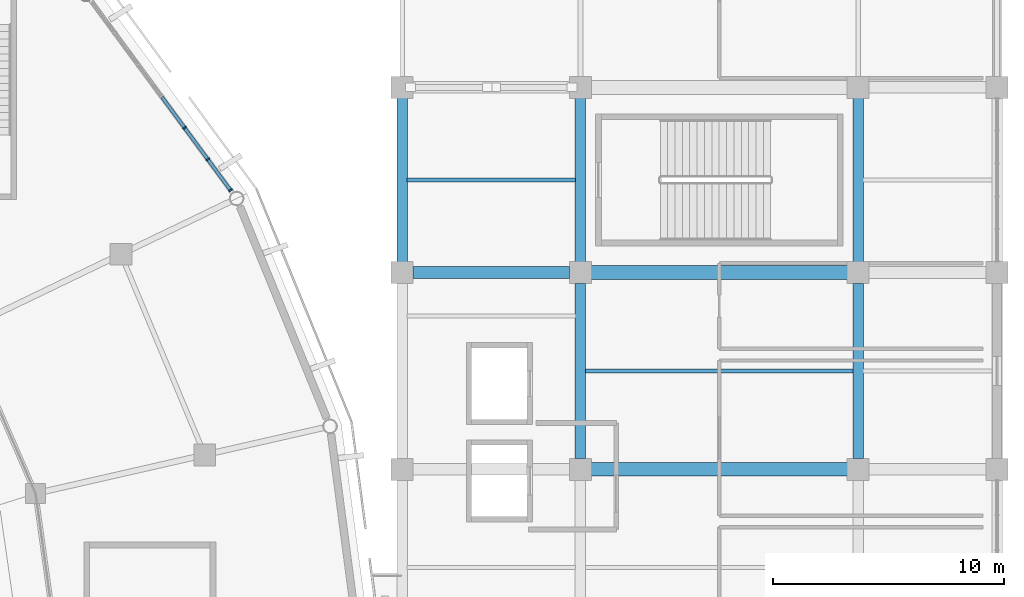
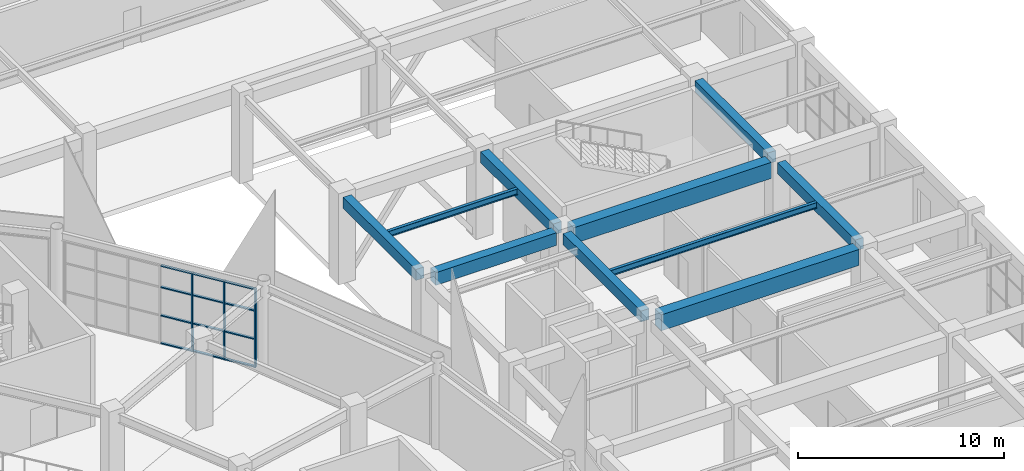
# One storey, part 52 of 120: 15 members, 10 beams, 1 element without a shape of its own.
"""IFC4 building model written with IfcOpenShell, lengths in metres."""

from ifc_helpers import new_model, si_unit, direction, frame, origin, origin_2d, place, context, subcontext, project, spatial, rectangle, i_section, extrude, material, material_profile, profile_set, type_object, element, aggregate, save


model = new_model("IFC4")

# Units and contexts
model_context = context("Model", 3, precision=1e-05, world=origin(), true_north=direction((0.0, 1.0)))
body_context = subcontext(model_context, "Body", "Model", "MODEL_VIEW")
ifc_project = project(units=[si_unit("LENGTHUNIT", "METRE"), si_unit("AREAUNIT", "SQUARE_METRE"), si_unit("VOLUMEUNIT", "CUBIC_METRE"), si_unit("PLANEANGLEUNIT", "RADIAN"), si_unit("MASSUNIT", "GRAM", prefix="KILO")], contexts=[model_context])

# Site, building, storey
site_placement = place(None, origin())
site = spatial("IfcSite", under=ifc_project, at=site_placement, CompositionType="ELEMENT")
building_placement = place(site_placement, origin())
building = spatial("IfcBuilding", under=site, at=building_placement, Name="Cuetzalor Civic Arena", CompositionType="ELEMENT")
storey_placement = place(building_placement, frame((0.0, 0.0, 6.0)))
storey = spatial("IfcBuildingStorey", under=building, at=storey_placement, Name="L01", CompositionType="ELEMENT", Elevation=6.0)

# Beams
ifc_material_1 = material(Name="Concrete C40/50", Category="concrete")
ifc_material_profile_1 = material_profile(ifc_material_1, rectangle(XDim=0.5, YDim=0.75, at=origin_2d()), Name="RC 500x750")
ifc_profile_set_1 = profile_set([ifc_material_profile_1], Name="Concrete C40/50")
beam_type_1 = type_object("IfcBeamType", Name="ConcreteFrameBeam_500x750", PredefinedType="BEAM", material=ifc_profile_set_1)
beam_1_placement = place(storey_placement, frame((56.764892578125, 17.0, 4.7451171875), z_axis=(1.0, 0.0, 0.0), x_axis=(0.0, 1.0, 0.0)))
element("IfcBeam", 1, at=beam_1_placement, inside=storey, type_object=beam_type_1, Name="Frame Girder V4E-L01-X0450", PredefinedType="BEAM", context=body_context, shape_type="SweptSolid", body=[
    extrude(rectangle(XDim=0.5, YDim=0.75, at=origin_2d()), origin(), (0.0, 0.0, 1.0), 6.77001953125),
])
ifc_material_2 = material(Name="Concrete C40/50", Category="concrete")
ifc_material_profile_2 = material_profile(ifc_material_2, rectangle(XDim=0.60009765625, YDim=0.949951171875, at=origin_2d()), Name="RC 600x950")
ifc_profile_set_2 = profile_set([ifc_material_profile_2], Name="Concrete C40/50")
beam_type_2 = type_object("IfcBeamType", Name="ConcreteFrameBeam_600x950", PredefinedType="BEAM", material=ifc_profile_set_2)
for number, where, z_axis, x_axis, name in (
    (2, (64.465087890625, 8.5, 4.64501953125), (1.0, 0.0, 0.0), (0.0, 1.0, 0.0), "Frame Girder V4E-L01-X0448"),
    (3, (64.465087890625, 17.0, 4.64501953125), (1.0, 0.0, 0.0), (0.0, 1.0, 0.0), "Frame Girder V4E-L01-X0451"),
):
    element("IfcBeam", number, at=place(storey_placement, frame(where, z_axis=z_axis, x_axis=x_axis)), inside=storey, type_object=beam_type_2, Name=name, PredefinedType="BEAM", context=body_context, shape_type="SweptSolid", body=[
        extrude(rectangle(XDim=0.60009765625, YDim=0.949951171875, at=origin_2d()), origin(), (0.0, 0.0, 1.0), 11.06982421875),
    ])
ifc_material_3 = material(Name="Concrete C40/50", Category="concrete")
ifc_material_profile_3 = material_profile(ifc_material_3, rectangle(XDim=0.449951171875, YDim=0.64990234375, at=origin_2d()), Name="RC 450x650")
ifc_profile_set_3 = profile_set([ifc_material_profile_3], Name="Concrete C40/50")
beam_type_3 = type_object("IfcBeamType", Name="ConcreteTieBeam_450x650", PredefinedType="BEAM", material=ifc_profile_set_3)
beam_2_placement = place(storey_placement, frame((56.300048828125, 17.465087890625, 4.794921875), z_axis=(0.0, 1.0, 0.0), x_axis=(-1.0, 0.0, 0.0)))
element("IfcBeam", 4, at=beam_2_placement, inside=storey, type_object=beam_type_3, Name="Frame Girder V4E-L01-Y0469", PredefinedType="BEAM", context=body_context, shape_type="SweptSolid", body=[
    extrude(rectangle(XDim=0.449951171875, YDim=0.64990234375, at=origin_2d()), origin(), (0.0, 0.0, 1.0), 7.06982421875),
])
beam_3_placement = place(storey_placement, frame((64.0, 8.965087890625, 4.794921875), z_axis=(0.0, 1.0, 0.0), x_axis=(-1.0, 0.0, 0.0)))
element("IfcBeam", 5, at=beam_3_placement, inside=storey, type_object=beam_type_3, Name="Frame Girder V4E-L01-Y0478", PredefinedType="BEAM", context=body_context, shape_type="SweptSolid", body=[
    extrude(rectangle(XDim=0.449951171875, YDim=0.64990234375, at=origin_2d()), origin(), (0.0, 0.0, 1.0), 7.56982421875),
])
beam_4_placement = place(storey_placement, frame((64.0, 17.465087890625, 4.794921875), z_axis=(0.0, 1.0, 0.0), x_axis=(-1.0, 0.0, 0.0)))
element("IfcBeam", 6, at=beam_4_placement, inside=storey, type_object=beam_type_3, Name="Frame Girder V4E-L01-Y0479", PredefinedType="BEAM", context=body_context, shape_type="SweptSolid", body=[
    extrude(rectangle(XDim=0.449951171875, YDim=0.64990234375, at=origin_2d()), origin(), (0.0, 0.0, 1.0), 7.06982421875),
])
beam_5_placement = place(storey_placement, frame((76.0, 8.965087890625, 4.794921875), z_axis=(0.0, 1.0, 0.0), x_axis=(-1.0, 0.0, 0.0)))
element("IfcBeam", 7, at=beam_5_placement, inside=storey, type_object=beam_type_3, Name="Frame Girder V4E-L01-Y0488", PredefinedType="BEAM", context=body_context, shape_type="SweptSolid", body=[
    extrude(rectangle(XDim=0.449951171875, YDim=0.64990234375, at=origin_2d()), origin(), (0.0, 0.0, 1.0), 7.56982421875),
])
beam_6_placement = place(storey_placement, frame((76.0, 17.465087890625, 4.794921875), z_axis=(0.0, 1.0, 0.0), x_axis=(-1.0, 0.0, 0.0)))
element("IfcBeam", 8, at=beam_6_placement, inside=storey, type_object=beam_type_3, Name="Frame Girder V4E-L01-Y0489", PredefinedType="BEAM", context=body_context, shape_type="SweptSolid", body=[
    extrude(rectangle(XDim=0.449951171875, YDim=0.64990234375, at=origin_2d()), origin(), (0.0, 0.0, 1.0), 7.06982421875),
])

# Curtain wall, members
ifc_material_4 = material(Name="Anodised dark bronze aluminium and low-E solar glass", Category="aluminium")
curtain_wall_type = type_object("IfcCurtainWallType", Name="UnitisedCW_10150x4650", PredefinedType="USERDEFINED", material=ifc_material_4)
curtain_wall_placement = place(storey_placement, origin())
curtain_wall = element("IfcCurtainWall", 9, at=curtain_wall_placement, inside=storey, type_object=curtain_wall_type, Name="Drum Triangle Foyer Curtain Wall L01-021", ObjectType="UNITISED CURTAIN WALL", PredefinedType="USERDEFINED")
ifc_material_5 = material(Name="Anodised dark bronze aluminium", Category="aluminium")
ifc_material_profile_4 = material_profile(ifc_material_5, rectangle(XDim=0.070068359375, YDim=0.179931640625, at=origin_2d()), Name="ALU MULLION 70x180")
ifc_profile_set_4 = profile_set([ifc_material_profile_4], Name="Anodised dark bronze aluminium")
member_type_1 = type_object("IfcMemberType", Name="CurtainWallMullion_65x180", PredefinedType="MULLION", material=ifc_profile_set_4)
member_1_placement = place(storey_placement, frame((46.90087890625, 23.2490234375, 0.0), z_axis=(0.0, 0.0, 1.0), x_axis=(0.59292931222, -0.805254513002, 0.0)))
member_1 = element("IfcMember", 10, at=member_1_placement, type_object=member_type_1, Name="CW-06 mullion 5", PredefinedType="MULLION", context=body_context, shape_type="SweptSolid", body=[
    extrude(rectangle(XDim=0.070068359375, YDim=0.179931640625, at=origin_2d()), origin(), (0.0, 0.0, 1.0), 4.653076171875),
])
member_2_placement = place(storey_placement, frame((47.9033203125, 21.8876953125, 0.0), z_axis=(0.0, 0.0, 1.0), x_axis=(0.59292931222, -0.805254513002, 0.0)))
member_2 = element("IfcMember", 11, at=member_2_placement, type_object=member_type_1, Name="CW-06 mullion 6", PredefinedType="MULLION", context=body_context, shape_type="SweptSolid", body=[
    extrude(rectangle(XDim=0.070068359375, YDim=0.179931640625, at=origin_2d()), origin(), (0.0, 0.0, 1.0), 4.653076171875),
])
member_3_placement = place(storey_placement, frame((48.885009765625, 20.554443359375, 0.0), z_axis=(0.0, 0.0, 1.0), x_axis=(0.59292931222, -0.805254513002, 0.0)))
member_3 = element("IfcMember", 12, at=member_3_placement, type_object=member_type_1, Name="CW-06 mullion 7", PredefinedType="MULLION", context=body_context, shape_type="SweptSolid", body=[
    extrude(rectangle(XDim=0.070068359375, YDim=0.179931640625, at=origin_2d()), origin(), (0.0, 0.0, 1.0), 4.653076171875),
])
ifc_material_6 = material(Name="Anodised dark bronze aluminium", Category="aluminium")
ifc_material_profile_5 = material_profile(ifc_material_6, rectangle(XDim=0.139892578125, YDim=0.070068359375, at=origin_2d()), Name="ALU TRANSOM 70x140")
ifc_profile_set_5 = profile_set([ifc_material_profile_5], Name="Anodised dark bronze aluminium")
member_type_2 = type_object("IfcMemberType", Name="CurtainWallTransom_65x140", PredefinedType="USERDEFINED", material=ifc_profile_set_5)
member_4_placement = place(storey_placement, frame((45.919189453125, 24.582275390625, 0.034912109375), z_axis=(0.592890697621, -0.805282944482, 0.0), x_axis=(0.805282944482, 0.592890697621, 0.0)))
member_4 = element("IfcMember", 13, at=member_4_placement, type_object=member_type_2, Name="CW-06 transom 4.1", ObjectType="TRANSOM", PredefinedType="USERDEFINED", context=body_context, shape_type="SweptSolid", body=[
    extrude(rectangle(XDim=0.139892578125, YDim=0.070068359375, at=origin_2d()), origin(), (0.0, 0.0, 1.0), 1.620849609375),
])
member_5_placement = place(storey_placement, frame((45.919189453125, 24.582275390625, 1.675048828125), z_axis=(0.592890697621, -0.805282944482, 0.0), x_axis=(0.805282944482, 0.592890697621, 0.0)))
member_5 = element("IfcMember", 14, at=member_5_placement, type_object=member_type_2, Name="CW-06 transom 4.2", ObjectType="TRANSOM", PredefinedType="USERDEFINED", context=body_context, shape_type="SweptSolid", body=[
    extrude(rectangle(XDim=0.139892578125, YDim=0.070068359375, at=origin_2d()), origin(), (0.0, 0.0, 1.0), 1.620849609375),
])
member_6_placement = place(storey_placement, frame((45.919189453125, 24.582275390625, 3.35009765625), z_axis=(0.592890697621, -0.805282944482, 0.0), x_axis=(0.805282944482, 0.592890697621, 0.0)))
member_6 = element("IfcMember", 15, at=member_6_placement, type_object=member_type_2, Name="CW-06 transom 4.3", ObjectType="TRANSOM", PredefinedType="USERDEFINED", context=body_context, shape_type="SweptSolid", body=[
    extrude(rectangle(XDim=0.139892578125, YDim=0.070068359375, at=origin_2d()), origin(), (0.0, 0.0, 1.0), 1.620849609375),
])
member_7_placement = place(storey_placement, frame((45.919189453125, 24.582275390625, 4.617919921875), z_axis=(0.592890697621, -0.805282944482, 0.0), x_axis=(0.805282944482, 0.592890697621, 0.0)))
member_7 = element("IfcMember", 16, at=member_7_placement, type_object=member_type_2, Name="CW-06 transom 4.4", ObjectType="TRANSOM", PredefinedType="USERDEFINED", context=body_context, shape_type="SweptSolid", body=[
    extrude(rectangle(XDim=0.139892578125, YDim=0.070068359375, at=origin_2d()), origin(), (0.0, 0.0, 1.0), 1.620849609375),
])
member_8_placement = place(storey_placement, frame((46.921630859375, 23.220703125, 0.034912109375), z_axis=(0.592962622822, -0.805229984499, 0.0), x_axis=(0.805229984499, 0.592962622822, 0.0)))
member_8 = element("IfcMember", 17, at=member_8_placement, type_object=member_type_2, Name="CW-06 transom 5.1", ObjectType="TRANSOM", PredefinedType="USERDEFINED", context=body_context, shape_type="SweptSolid", body=[
    extrude(rectangle(XDim=0.139892578125, YDim=0.070068359375, at=origin_2d()), origin(), (0.0, 0.0, 1.0), 1.62060546875),
])
member_9_placement = place(storey_placement, frame((46.921630859375, 23.220703125, 1.675048828125), z_axis=(0.592962622822, -0.805229984499, 0.0), x_axis=(0.805229984499, 0.592962622822, 0.0)))
member_9 = element("IfcMember", 18, at=member_9_placement, type_object=member_type_2, Name="CW-06 transom 5.2", ObjectType="TRANSOM", PredefinedType="USERDEFINED", context=body_context, shape_type="SweptSolid", body=[
    extrude(rectangle(XDim=0.139892578125, YDim=0.070068359375, at=origin_2d()), origin(), (0.0, 0.0, 1.0), 1.62060546875),
])
member_10_placement = place(storey_placement, frame((46.921630859375, 23.220703125, 3.35009765625), z_axis=(0.592962622822, -0.805229984499, 0.0), x_axis=(0.805229984499, 0.592962622822, 0.0)))
member_10 = element("IfcMember", 19, at=member_10_placement, type_object=member_type_2, Name="CW-06 transom 5.3", ObjectType="TRANSOM", PredefinedType="USERDEFINED", context=body_context, shape_type="SweptSolid", body=[
    extrude(rectangle(XDim=0.139892578125, YDim=0.070068359375, at=origin_2d()), origin(), (0.0, 0.0, 1.0), 1.62060546875),
])
member_11_placement = place(storey_placement, frame((46.921630859375, 23.220703125, 4.617919921875), z_axis=(0.592962622822, -0.805229984499, 0.0), x_axis=(0.805229984499, 0.592962622822, 0.0)))
member_11 = element("IfcMember", 20, at=member_11_placement, type_object=member_type_2, Name="CW-06 transom 5.4", ObjectType="TRANSOM", PredefinedType="USERDEFINED", context=body_context, shape_type="SweptSolid", body=[
    extrude(rectangle(XDim=0.139892578125, YDim=0.070068359375, at=origin_2d()), origin(), (0.0, 0.0, 1.0), 1.62060546875),
])
member_12_placement = place(storey_placement, frame((47.924072265625, 21.859375, 0.034912109375), z_axis=(0.59293115048, -0.805253159442, 0.0), x_axis=(0.805253159442, 0.59293115048, 0.0)))
member_12 = element("IfcMember", 21, at=member_12_placement, type_object=member_type_2, Name="CW-06 transom 6.1", ObjectType="TRANSOM", PredefinedType="USERDEFINED", context=body_context, shape_type="SweptSolid", body=[
    extrude(rectangle(XDim=0.139892578125, YDim=0.070068359375, at=origin_2d()), origin(), (0.0, 0.0, 1.0), 1.585693359375),
])
member_13_placement = place(storey_placement, frame((47.924072265625, 21.859375, 1.675048828125), z_axis=(0.59293115048, -0.805253159442, 0.0), x_axis=(0.805253159442, 0.59293115048, 0.0)))
member_13 = element("IfcMember", 22, at=member_13_placement, type_object=member_type_2, Name="CW-06 transom 6.2", ObjectType="TRANSOM", PredefinedType="USERDEFINED", context=body_context, shape_type="SweptSolid", body=[
    extrude(rectangle(XDim=0.139892578125, YDim=0.070068359375, at=origin_2d()), origin(), (0.0, 0.0, 1.0), 1.585693359375),
])
member_14_placement = place(storey_placement, frame((47.924072265625, 21.859375, 3.35009765625), z_axis=(0.59293115048, -0.805253159442, 0.0), x_axis=(0.805253159442, 0.59293115048, 0.0)))
member_14 = element("IfcMember", 23, at=member_14_placement, type_object=member_type_2, Name="CW-06 transom 6.3", ObjectType="TRANSOM", PredefinedType="USERDEFINED", context=body_context, shape_type="SweptSolid", body=[
    extrude(rectangle(XDim=0.139892578125, YDim=0.070068359375, at=origin_2d()), origin(), (0.0, 0.0, 1.0), 1.585693359375),
])
member_15_placement = place(storey_placement, frame((47.924072265625, 21.859375, 4.617919921875), z_axis=(0.59293115048, -0.805253159442, 0.0), x_axis=(0.805253159442, 0.59293115048, 0.0)))
member_15 = element("IfcMember", 24, at=member_15_placement, type_object=member_type_2, Name="CW-06 transom 6.4", ObjectType="TRANSOM", PredefinedType="USERDEFINED", context=body_context, shape_type="SweptSolid", body=[
    extrude(rectangle(XDim=0.139892578125, YDim=0.070068359375, at=origin_2d()), origin(), (0.0, 0.0, 1.0), 1.585693359375),
])
aggregate(curtain_wall, [member_1, member_2, member_3, member_4, member_5, member_6, member_7, member_8, member_9, member_10, member_11, member_12, member_13, member_14, member_15])

# Beams
ifc_material_7 = material(Name="Steel S355", Category="steel")
ifc_material_profile_6 = material_profile(ifc_material_7, i_section(OverallWidth=0.1708984375, OverallDepth=0.35498046875, WebThickness=0.007080078125, FlangeThickness=0.01171875, at=origin_2d()), Name="W360x51")
ifc_profile_set_6 = profile_set([ifc_material_profile_6], Name="Steel S355")
beam_type_4 = type_object("IfcBeamType", Name="SecondaryFloorJoist_W360", PredefinedType="JOIST", material=ifc_profile_set_6)
beam_7_placement = place(storey_placement, frame((56.51708984375, 21.0, 4.9423828125), z_axis=(1.0, 0.0, 0.0), x_axis=(0.0, 1.0, 0.0)))
element("IfcBeam", 25, at=beam_7_placement, inside=storey, type_object=beam_type_4, Name="Secondary Floor Joist V4E-L01-0142", PredefinedType="JOIST", context=body_context, shape_type="SweptSolid", body=[
    extrude(i_section(OverallWidth=0.1708984375, OverallDepth=0.35498046875, WebThickness=0.007080078125, FlangeThickness=0.01171875, at=origin_2d()), origin(), (0.0, 0.0, 1.0), 7.265869140625),
])
beam_8_placement = place(storey_placement, frame((64.217041015625, 12.75, 4.9423828125), z_axis=(1.0, 0.0, 0.0), x_axis=(0.0, 1.0, 0.0)))
element("IfcBeam", 26, at=beam_8_placement, inside=storey, type_object=beam_type_4, Name="Secondary Floor Joist V4E-L01-0149", PredefinedType="JOIST", context=body_context, shape_type="SweptSolid", body=[
    extrude(i_section(OverallWidth=0.1708984375, OverallDepth=0.35498046875, WebThickness=0.007080078125, FlangeThickness=0.01171875, at=origin_2d()), origin(), (0.0, 0.0, 1.0), 11.56591796875),
])

save(model, "model.ifc")
